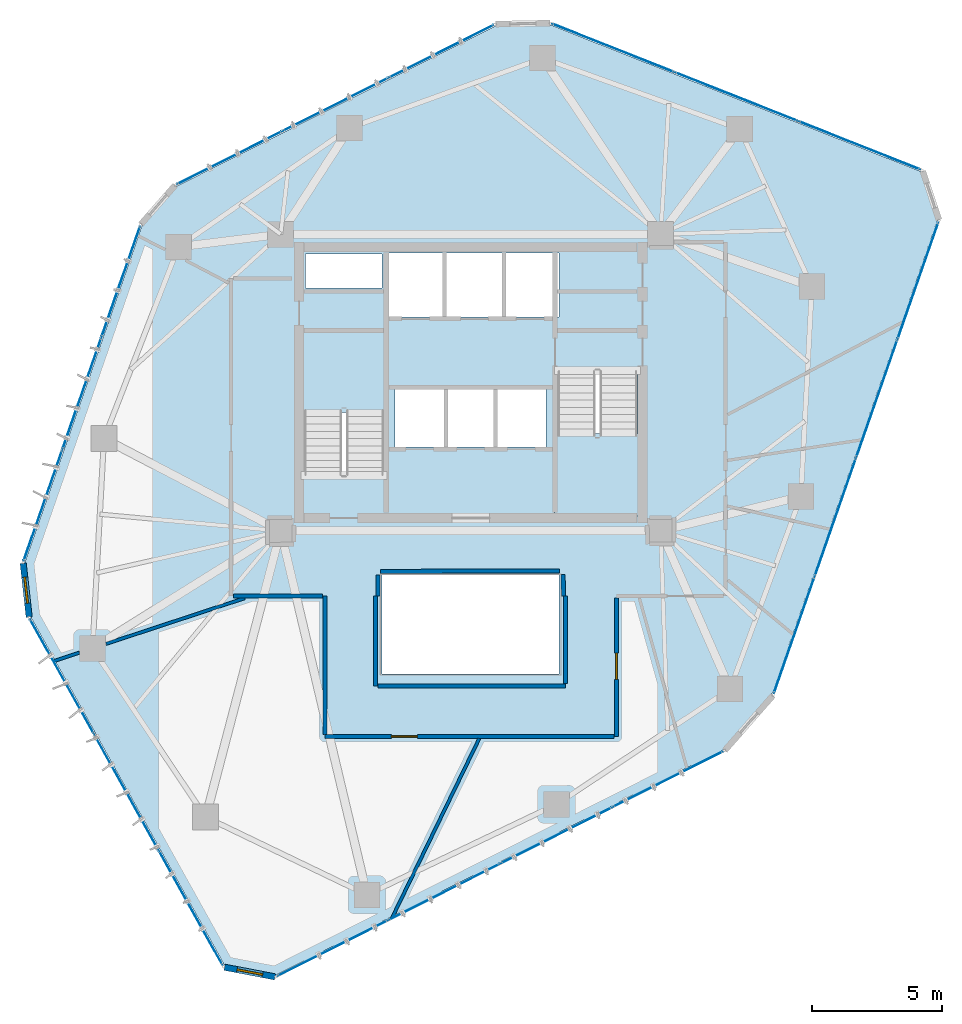
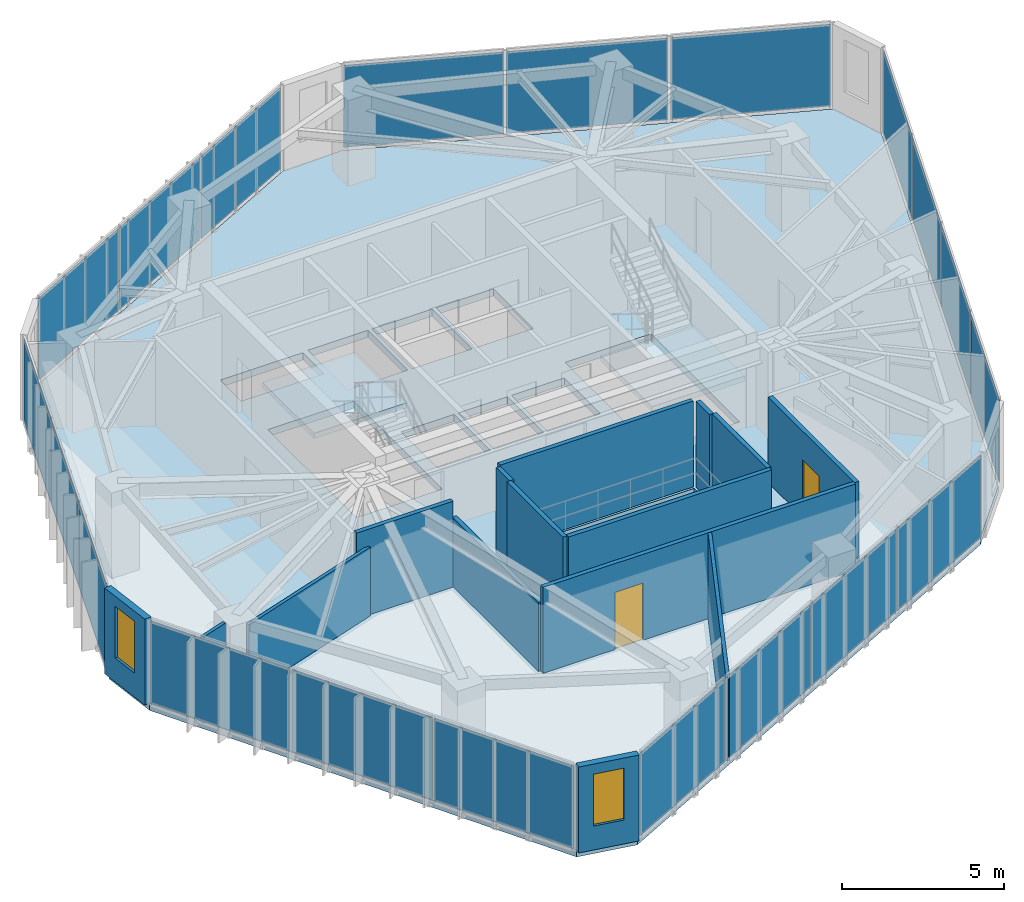
# One storey, part 15 of 20: 20 plates, 15 walls, 3 slabs, 2 doors, 2 windows, 4 openings, 8 elements without a shape of their own.
"""IFC4 building model written with IfcOpenShell, lengths in metres."""

from ifc_helpers import new_model, si_unit, direction, frame, frame_2d, origin, origin_2d, place, context, subcontext, project, spatial, polyline, rectangle, outline, extrude, source, transform, mapped, material, layer, layer_set, type_object, type_shapes, element, fill, aggregate, save


model = new_model("IFC4")

# Units and contexts
model_context = context("Model", 3, precision=1e-05, world=origin(), true_north=direction((0.0, 1.0)))
body_context = subcontext(model_context, "Body", "Model", "MODEL_VIEW")
ifc_project = project(units=[si_unit("LENGTHUNIT", "METRE"), si_unit("AREAUNIT", "SQUARE_METRE"), si_unit("VOLUMEUNIT", "CUBIC_METRE"), si_unit("PLANEANGLEUNIT", "RADIAN"), si_unit("MASSUNIT", "GRAM", prefix="KILO")], contexts=[model_context])

# Site, building, storey
site_placement = place(None, origin())
site = spatial("IfcSite", under=ifc_project, at=site_placement, CompositionType="ELEMENT")
building_placement = place(site_placement, origin())
building = spatial("IfcBuilding", under=site, at=building_placement, Name="Talar Marvaseh", CompositionType="ELEMENT")
storey_placement = place(building_placement, frame((0.0, 0.0, 170.5)))
storey = spatial("IfcBuildingStorey", under=building, at=storey_placement, Name="L44", CompositionType="ELEMENT", Elevation=170.5)

# Stair, slab
ifc_material_1 = material(Name="Concrete C40/50", Category="concrete")
stair_type = type_object("IfcStairType", Name="Reinforced Concrete High-Rise Exit Stair Type C", PredefinedType="HALF_TURN_STAIR", material=ifc_material_1)
stair_1_placement = place(storey_placement, origin())
stair_1 = element("IfcStair", 1, at=stair_1_placement, inside=storey, type_object=stair_type, Name="L44 Tower West Core Exit Stair", PredefinedType="HALF_TURN_STAIR")
ifc_layer_1 = layer(ifc_material_1, 0.199951171875)
ifc_layer_set_1 = layer_set([ifc_layer_1], Name="Concrete C40/50")
slab_type_1 = type_object("IfcSlabType", Name="Reinforced Concrete Stair Half-Landing Slab 200", PredefinedType="LANDING", material=ifc_layer_set_1)
slab_1_placement = place(storey_placement, frame((0.0, 0.0, 1.550048828125)))
slab_1 = element("IfcSlab", 2, at=slab_1_placement, type_object=slab_type_1, Name="ST-1 landing 1", PredefinedType="LANDING", context=body_context, shape_type="SweptSolid", body=[
    extrude(outline(polyline([(22.780029296875, 30.050048828125), (22.780029296875, 33.219970703125), (19.47998046875, 33.219970703125), (19.47998046875, 30.050048828125), (22.780029296875, 30.050048828125)])), origin(), (0.0, 0.0, 1.0), 0.199951171875),
])
aggregate(stair_1, [slab_1])

stair_2_placement = place(storey_placement, origin())
stair_2 = element("IfcStair", 3, at=stair_2_placement, inside=storey, type_object=stair_type, Name="L44 Tower East Core Exit Stair", PredefinedType="HALF_TURN_STAIR")
slab_2_placement = place(storey_placement, frame((0.0, 0.0, 1.550048828125)))
slab_2 = element("IfcSlab", 4, at=slab_2_placement, type_object=slab_type_1, Name="ST-2 landing 1", PredefinedType="LANDING", context=body_context, shape_type="SweptSolid", body=[
    extrude(outline(polyline([(29.219970703125, 29.25), (29.219970703125, 26.080078125), (32.52001953125, 26.080078125), (32.52001953125, 29.25), (29.219970703125, 29.25)])), origin(), (0.0, 0.0, 1.0), 0.199951171875),
])
aggregate(stair_2, [slab_2])

# Slab
ifc_layer_2 = layer(ifc_material_1, 0.27001953125)
ifc_layer_set_2 = layer_set([ifc_layer_2], Name="Concrete C40/50")
slab_type_2 = type_object("IfcSlabType", Name="Structural Suspended Floor Slab 270", PredefinedType="FLOOR", material=ifc_layer_set_2)
slab_3_placement = place(storey_placement, frame((0.0, 0.0, -0.27001953125)))
element("IfcSlab", 5, at=slab_3_placement, inside=storey, type_object=slab_type_2, Name="L44 Tower Floor Slab", PredefinedType="FLOOR", context=body_context, shape_type="SweptSolid", body=[
    extrude(outline(polyline([(18.49560546875, 8.4208984375), (16.552978515625, 8.792236328125), (9.093994140625, 22.195556640625), (8.8623046875, 24.271240234375), (13.3740234375, 37.240478515625), (14.69482421875, 38.74658203125), (26.964111328125, 44.91259765625), (29.052490234375, 44.95361328125), (43.314697265625, 39.307861328125), (43.936279296875, 37.430419921875), (37.574462890625, 19.2216796875), (35.71826171875, 17.10498046875), (18.49560546875, 8.4208984375)]), holes=[polyline([(22.659912109375, 27.64990234375), (22.659912109375, 33.10009765625), (19.60009765625, 33.10009765625), (19.60009765625, 27.64990234375), (22.659912109375, 27.64990234375)]), polyline([(29.340087890625, 31.64990234375), (29.340087890625, 26.199951171875), (32.39990234375, 26.199951171875), (32.39990234375, 31.64990234375), (29.340087890625, 31.64990234375)]), polyline([(22.800048828125, 33.719970703125), (24.93994140625, 33.719970703125), (24.93994140625, 36.179931640625), (22.800048828125, 36.179931640625), (22.800048828125, 33.719970703125)]), polyline([(25.080078125, 33.719970703125), (27.219970703125, 33.719970703125), (27.219970703125, 36.179931640625), (25.080078125, 36.179931640625), (25.080078125, 33.719970703125)]), polyline([(27.360107421875, 33.719970703125), (29.39990234375, 33.719970703125), (29.39990234375, 36.179931640625), (27.360107421875, 36.179931640625), (27.360107421875, 33.719970703125)]), polyline([(23.10009765625, 28.719970703125), (24.97998046875, 28.719970703125), (24.97998046875, 30.93994140625), (23.10009765625, 30.93994140625), (23.10009765625, 28.719970703125)]), polyline([(25.1201171875, 28.719970703125), (26.8798828125, 28.719970703125), (26.8798828125, 30.93994140625), (25.1201171875, 30.93994140625), (25.1201171875, 28.719970703125)]), polyline([(27.02001953125, 28.719970703125), (28.89990234375, 28.719970703125), (28.89990234375, 30.93994140625), (27.02001953125, 30.93994140625), (27.02001953125, 28.719970703125)]), polyline([(19.659912109375, 34.840087890625), (22.60009765625, 34.840087890625), (22.60009765625, 36.139892578125), (19.659912109375, 36.139892578125), (19.659912109375, 34.840087890625)]), polyline([(22.60009765625, 20.0), (29.39990234375, 20.0), (29.39990234375, 23.800048828125), (22.60009765625, 23.800048828125), (22.60009765625, 20.0)])]), origin(), (0.0, 0.0, 1.0), 0.27001953125),
])

# Curtain wall, plates
ifc_material_2 = material(Name="Architectural Aluminium", Category="aluminium")
ifc_layer_3 = layer(ifc_material_2, 0.18994140625)
ifc_layer_set_3 = layer_set([ifc_layer_3], Name="Architectural Aluminium")
curtain_wall_type = type_object("IfcCurtainWallType", Name="Unitised Solar Atelier Curtain Wall Z3", PredefinedType="NOTDEFINED", material=ifc_layer_set_3)
curtain_wall_1_placement = place(storey_placement, origin())
curtain_wall_1 = element("IfcCurtainWall", 6, at=curtain_wall_1_placement, inside=storey, type_object=curtain_wall_type, Name="L44 Unitised Solar Atelier Curtain Wall Z3", PredefinedType="NOTDEFINED")
ifc_material_3 = material(Name="Laminated Low-E Solar Glass", Category="glass")
ifc_layer_4 = layer(ifc_material_3, 0.028076171875)
ifc_layer_set_4 = layer_set([ifc_layer_4], Name="Laminated Low-E Solar Glass")
plate_type = type_object("IfcPlateType", Name="Double-Glazed Low-E Vision Curtain Panel 28", PredefinedType="CURTAIN_PANEL", material=ifc_layer_set_4)
shared_shape_1 = source(origin(), body_context, "Body", "SweptSolid", [
    extrude(rectangle(XDim=5.00048828125, YDim=0.028076171875, at=origin_2d()), origin(), (0.0, 0.0, 1.0), 3.080078125),
])
plate_1_placement = place(storey_placement, frame((15.24853515625, 11.013427734375, 0.074951171875), z_axis=(0.0, 0.0, 1.0), x_axis=(-0.486276592813, 0.87380494121, 0.0)))
plate_1 = element("IfcPlate", 7, at=plate_1_placement, type_object=plate_type, Name="CW-Z3 panel 1.1", PredefinedType="CURTAIN_PANEL", context=body_context, shape_type="MappedRepresentation", body=[
    mapped(shared_shape_1, transform((0.0, 0.0, 0.0), x_axis=(1.0, 0.0, 0.0), y_axis=(0.0, 1.0, 0.0), z_axis=(0.0, 0.0, 1.0), scale=1.0)),
])
plate_2_placement = place(storey_placement, frame((10.2939453125, 19.916015625, 0.074951171875), z_axis=(0.0, 0.0, 1.0), x_axis=(-0.486276592813, 0.87380494121, 0.0)))
plate_2 = element("IfcPlate", 8, at=plate_2_placement, type_object=plate_type, Name="CW-Z3 panel 3.1", PredefinedType="CURTAIN_PANEL", context=body_context, shape_type="MappedRepresentation", body=[
    mapped(shared_shape_1, transform((0.0, 0.0, 0.0), x_axis=(1.0, 0.0, 0.0), y_axis=(0.0, 1.0, 0.0), z_axis=(0.0, 0.0, 1.0), scale=1.0)),
])

curtain_wall_2_placement = place(storey_placement, origin())
curtain_wall_2 = element("IfcCurtainWall", 9, at=curtain_wall_2_placement, inside=storey, type_object=curtain_wall_type, Name="L44 Unitised Solar Atelier Curtain Wall Z3", PredefinedType="NOTDEFINED")
plate_3_placement = place(storey_placement, frame((31.468994140625, 44.0615234375, 0.074951171875), z_axis=(0.0, 0.0, 1.0), x_axis=(0.929801128404, -0.368062306707, 0.0)))
plate_3 = element("IfcPlate", 10, at=plate_3_placement, type_object=plate_type, Name="CW-Z3 panel 1.1", PredefinedType="CURTAIN_PANEL", context=body_context, shape_type="MappedRepresentation", body=[
    mapped(shared_shape_1, transform((0.0, 0.0, 0.0), x_axis=(1.0, 0.0, 0.0), y_axis=(0.0, 1.0, 0.0), z_axis=(0.0, 0.0, 1.0), scale=1.0)),
])
plate_4_placement = place(storey_placement, frame((40.942138671875, 40.3115234375, 0.074951171875), z_axis=(0.0, 0.0, 1.0), x_axis=(0.929801128404, -0.368062306707, 0.0)))
plate_4 = element("IfcPlate", 11, at=plate_4_placement, type_object=plate_type, Name="CW-Z3 panel 3.1", PredefinedType="CURTAIN_PANEL", context=body_context, shape_type="MappedRepresentation", body=[
    mapped(shared_shape_1, transform((0.0, 0.0, 0.0), x_axis=(1.0, 0.0, 0.0), y_axis=(0.0, 1.0, 0.0), z_axis=(0.0, 0.0, 1.0), scale=1.0)),
])

# Plate
shared_shape_2 = source(origin(), body_context, "Body", "SweptSolid", [
    extrude(rectangle(XDim=5.0380859375, YDim=0.028076171875, at=origin_2d()), origin(), (0.0, 0.0, 1.0), 3.080078125),
])
plate_5_placement = place(storey_placement, frame((12.771240234375, 15.46484375, 0.074951171875), z_axis=(0.0, 0.0, 1.0), x_axis=(-0.486276592813, 0.87380494121, 0.0)))
plate_5 = element("IfcPlate", 12, at=plate_5_placement, type_object=plate_type, Name="CW-Z3 panel 2.1", PredefinedType="CURTAIN_PANEL", context=body_context, shape_type="MappedRepresentation", body=[
    mapped(shared_shape_2, transform((0.0, 0.0, 0.0), x_axis=(1.0, 0.0, 0.0), y_axis=(0.0, 1.0, 0.0), z_axis=(0.0, 0.0, 1.0), scale=1.0)),
])

aggregate(curtain_wall_1, [plate_1, plate_5, plate_2])

plate_6_placement = place(storey_placement, frame((36.20556640625, 42.1865234375, 0.074951171875), z_axis=(0.0, 0.0, 1.0), x_axis=(0.929801128404, -0.368062306707, 0.0)))
plate_6 = element("IfcPlate", 13, at=plate_6_placement, type_object=plate_type, Name="CW-Z3 panel 2.1", PredefinedType="CURTAIN_PANEL", context=body_context, shape_type="MappedRepresentation", body=[
    mapped(shared_shape_2, transform((0.0, 0.0, 0.0), x_axis=(1.0, 0.0, 0.0), y_axis=(0.0, 1.0, 0.0), z_axis=(0.0, 0.0, 1.0), scale=1.0)),
])

aggregate(curtain_wall_2, [plate_3, plate_6, plate_4])

# Curtain wall, plates
curtain_wall_3_placement = place(storey_placement, origin())
curtain_wall_3 = element("IfcCurtainWall", 14, at=curtain_wall_3_placement, inside=storey, type_object=curtain_wall_type, Name="L44 Unitised Solar Atelier Curtain Wall Z3", PredefinedType="NOTDEFINED")
shared_shape_3 = source(origin(), body_context, "Body", "SweptSolid", [
    extrude(rectangle(XDim=4.46484375, YDim=0.028076171875, at=origin_2d()), origin(), (0.0, 0.0, 1.0), 3.080078125),
])
plate_7_placement = place(storey_placement, frame((9.563720703125, 26.47021484375, 0.074951171875), z_axis=(0.0, 0.0, 1.0), x_axis=(0.328566381975, 0.944480879974, 0.0)))
plate_7 = element("IfcPlate", 15, at=plate_7_placement, type_object=plate_type, Name="CW-Z3 panel 1.1", PredefinedType="CURTAIN_PANEL", context=body_context, shape_type="MappedRepresentation", body=[
    mapped(shared_shape_3, transform((0.0, 0.0, 0.0), x_axis=(1.0, 0.0, 0.0), y_axis=(0.0, 1.0, 0.0), z_axis=(0.0, 0.0, 1.0), scale=1.0)),
])
plate_8_placement = place(storey_placement, frame((12.55908203125, 35.0810546875, 0.074951171875), z_axis=(0.0, 0.0, 1.0), x_axis=(0.328566381975, 0.944480879974, 0.0)))
plate_8 = element("IfcPlate", 16, at=plate_8_placement, type_object=plate_type, Name="CW-Z3 panel 3.1", PredefinedType="CURTAIN_PANEL", context=body_context, shape_type="MappedRepresentation", body=[
    mapped(shared_shape_3, transform((0.0, 0.0, 0.0), x_axis=(1.0, 0.0, 0.0), y_axis=(0.0, 1.0, 0.0), z_axis=(0.0, 0.0, 1.0), scale=1.0)),
])

curtain_wall_4_placement = place(storey_placement, origin())
curtain_wall_4 = element("IfcCurtainWall", 17, at=curtain_wall_4_placement, inside=storey, type_object=curtain_wall_type, Name="L44 Unitised Solar Atelier Curtain Wall Z3", PredefinedType="NOTDEFINED")
plate_9_placement = place(storey_placement, frame((16.7294921875, 39.836181640625, 0.074951171875), z_axis=(0.0, 0.0, 1.0), x_axis=(0.893510646847, 0.449042006912, 0.0)))
plate_9 = element("IfcPlate", 18, at=plate_9_placement, type_object=plate_type, Name="CW-Z3 panel 1.1", PredefinedType="CURTAIN_PANEL", context=body_context, shape_type="MappedRepresentation", body=[
    mapped(shared_shape_3, transform((0.0, 0.0, 0.0), x_axis=(1.0, 0.0, 0.0), y_axis=(0.0, 1.0, 0.0), z_axis=(0.0, 0.0, 1.0), scale=1.0)),
])
plate_10_placement = place(storey_placement, frame((24.875732421875, 43.93017578125, 0.074951171875), z_axis=(0.0, 0.0, 1.0), x_axis=(0.893510646847, 0.449042006912, 0.0)))
plate_10 = element("IfcPlate", 19, at=plate_10_placement, type_object=plate_type, Name="CW-Z3 panel 3.1", PredefinedType="CURTAIN_PANEL", context=body_context, shape_type="MappedRepresentation", body=[
    mapped(shared_shape_3, transform((0.0, 0.0, 0.0), x_axis=(1.0, 0.0, 0.0), y_axis=(0.0, 1.0, 0.0), z_axis=(0.0, 0.0, 1.0), scale=1.0)),
])

# Plate
shared_shape_4 = source(origin(), body_context, "Body", "SweptSolid", [
    extrude(rectangle(XDim=4.502197265625, YDim=0.028076171875, at=origin_2d()), origin(), (0.0, 0.0, 1.0), 3.080078125),
])
plate_11_placement = place(storey_placement, frame((11.061279296875, 30.775634765625, 0.074951171875), z_axis=(0.0, 0.0, 1.0), x_axis=(0.328566381975, 0.944480879974, 0.0)))
plate_11 = element("IfcPlate", 20, at=plate_11_placement, type_object=plate_type, Name="CW-Z3 panel 2.1", PredefinedType="CURTAIN_PANEL", context=body_context, shape_type="MappedRepresentation", body=[
    mapped(shared_shape_4, transform((0.0, 0.0, 0.0), x_axis=(1.0, 0.0, 0.0), y_axis=(0.0, 1.0, 0.0), z_axis=(0.0, 0.0, 1.0), scale=1.0)),
])

aggregate(curtain_wall_3, [plate_7, plate_11, plate_8])

plate_12_placement = place(storey_placement, frame((20.802490234375, 41.88330078125, 0.074951171875), z_axis=(0.0, 0.0, 1.0), x_axis=(0.893510646847, 0.449042006912, 0.0)))
plate_12 = element("IfcPlate", 21, at=plate_12_placement, type_object=plate_type, Name="CW-Z3 panel 2.1", PredefinedType="CURTAIN_PANEL", context=body_context, shape_type="MappedRepresentation", body=[
    mapped(shared_shape_4, transform((0.0, 0.0, 0.0), x_axis=(1.0, 0.0, 0.0), y_axis=(0.0, 1.0, 0.0), z_axis=(0.0, 0.0, 1.0), scale=1.0)),
])

aggregate(curtain_wall_4, [plate_9, plate_12, plate_10])

# Curtain wall, plates
curtain_wall_5_placement = place(storey_placement, origin())
curtain_wall_5 = element("IfcCurtainWall", 22, at=curtain_wall_5_placement, inside=storey, type_object=curtain_wall_type, Name="L44 Unitised Solar Atelier Curtain Wall Z3", PredefinedType="NOTDEFINED")
shared_shape_5 = source(origin(), body_context, "Body", "SweptSolid", [
    extrude(rectangle(XDim=4.70947265625, YDim=0.028076171875, at=origin_2d()), origin(), (0.0, 0.0, 1.0), 3.080078125),
])
plate_13_placement = place(storey_placement, frame((43.191650390625, 35.116943359375, 0.074951171875), z_axis=(0.0, 0.0, 1.0), x_axis=(-0.329838622166, -0.944037331533, 0.0)))
plate_13 = element("IfcPlate", 23, at=plate_13_placement, type_object=plate_type, Name="CW-Z3 panel 1.1", PredefinedType="CURTAIN_PANEL", context=body_context, shape_type="MappedRepresentation", body=[
    mapped(shared_shape_5, transform((0.0, 0.0, 0.0), x_axis=(1.0, 0.0, 0.0), y_axis=(0.0, 1.0, 0.0), z_axis=(0.0, 0.0, 1.0), scale=1.0)),
])
plate_14_placement = place(storey_placement, frame((38.432373046875, 21.49560546875, 0.074951171875), z_axis=(0.0, 0.0, 1.0), x_axis=(-0.329838622166, -0.944037331533, 0.0)))
plate_14 = element("IfcPlate", 24, at=plate_14_placement, type_object=plate_type, Name="CW-Z3 panel 4.1", PredefinedType="CURTAIN_PANEL", context=body_context, shape_type="MappedRepresentation", body=[
    mapped(shared_shape_5, transform((0.0, 0.0, 0.0), x_axis=(1.0, 0.0, 0.0), y_axis=(0.0, 1.0, 0.0), z_axis=(0.0, 0.0, 1.0), scale=1.0)),
])

curtain_wall_6_placement = place(storey_placement, origin())
curtain_wall_6 = element("IfcCurtainWall", 25, at=curtain_wall_6_placement, inside=storey, type_object=curtain_wall_type, Name="L44 Unitised Solar Atelier Curtain Wall Z3", PredefinedType="NOTDEFINED")
plate_15_placement = place(storey_placement, frame((33.57568359375, 15.95751953125, 0.074951171875), z_axis=(0.0, 0.0, 1.0), x_axis=(-0.892910272367, -0.450234656041, 0.0)))
plate_15 = element("IfcPlate", 26, at=plate_15_placement, type_object=plate_type, Name="CW-Z3 panel 1.1", PredefinedType="CURTAIN_PANEL", context=body_context, shape_type="MappedRepresentation", body=[
    mapped(shared_shape_5, transform((0.0, 0.0, 0.0), x_axis=(1.0, 0.0, 0.0), y_axis=(0.0, 1.0, 0.0), z_axis=(0.0, 0.0, 1.0), scale=1.0)),
])
plate_16_placement = place(storey_placement, frame((20.6923828125, 9.461181640625, 0.074951171875), z_axis=(0.0, 0.0, 1.0), x_axis=(-0.892910272367, -0.450234656041, 0.0)))
plate_16 = element("IfcPlate", 27, at=plate_16_placement, type_object=plate_type, Name="CW-Z3 panel 4.1", PredefinedType="CURTAIN_PANEL", context=body_context, shape_type="MappedRepresentation", body=[
    mapped(shared_shape_5, transform((0.0, 0.0, 0.0), x_axis=(1.0, 0.0, 0.0), y_axis=(0.0, 1.0, 0.0), z_axis=(0.0, 0.0, 1.0), scale=1.0)),
])

# Plate
shared_shape_6 = source(origin(), body_context, "Body", "SweptSolid", [
    extrude(rectangle(XDim=4.7470703125, YDim=0.028076171875, at=origin_2d()), origin(), (0.0, 0.0, 1.0), 3.080078125),
])
type_shapes(plate_type, [shared_shape_1, shared_shape_2, shared_shape_3, shared_shape_4, shared_shape_5, shared_shape_6])
plate_17_placement = place(storey_placement, frame((41.607177734375, 30.58251953125, 0.074951171875), z_axis=(0.0, 0.0, 1.0), x_axis=(-0.329838622166, -0.944037331533, 0.0)))
plate_17 = element("IfcPlate", 28, at=plate_17_placement, type_object=plate_type, Name="CW-Z3 panel 2.1", PredefinedType="CURTAIN_PANEL", context=body_context, shape_type="MappedRepresentation", body=[
    mapped(shared_shape_6, transform((0.0, 0.0, 0.0), x_axis=(1.0, 0.0, 0.0), y_axis=(0.0, 1.0, 0.0), z_axis=(0.0, 0.0, 1.0), scale=1.0)),
])

plate_18_placement = place(storey_placement, frame((40.016845703125, 26.0302734375, 0.074951171875), z_axis=(0.0, 0.0, 1.0), x_axis=(-0.329838622166, -0.944037331533, 0.0)))
plate_18 = element("IfcPlate", 29, at=plate_18_placement, type_object=plate_type, Name="CW-Z3 panel 3.1", PredefinedType="CURTAIN_PANEL", context=body_context, shape_type="MappedRepresentation", body=[
    mapped(shared_shape_6, transform((0.0, 0.0, 0.0), x_axis=(1.0, 0.0, 0.0), y_axis=(0.0, 1.0, 0.0), z_axis=(0.0, 0.0, 1.0), scale=1.0)),
])

aggregate(curtain_wall_5, [plate_13, plate_17, plate_18, plate_14])

plate_19_placement = place(storey_placement, frame((29.286865234375, 13.794921875, 0.074951171875), z_axis=(0.0, 0.0, 1.0), x_axis=(-0.892910272367, -0.450234656041, 0.0)))
plate_19 = element("IfcPlate", 30, at=plate_19_placement, type_object=plate_type, Name="CW-Z3 panel 2.1", PredefinedType="CURTAIN_PANEL", context=body_context, shape_type="MappedRepresentation", body=[
    mapped(shared_shape_6, transform((0.0, 0.0, 0.0), x_axis=(1.0, 0.0, 0.0), y_axis=(0.0, 1.0, 0.0), z_axis=(0.0, 0.0, 1.0), scale=1.0)),
])

plate_20_placement = place(storey_placement, frame((24.981201171875, 11.623779296875, 0.074951171875), z_axis=(0.0, 0.0, 1.0), x_axis=(-0.892910272367, -0.450234656041, 0.0)))
plate_20 = element("IfcPlate", 31, at=plate_20_placement, type_object=plate_type, Name="CW-Z3 panel 3.1", PredefinedType="CURTAIN_PANEL", context=body_context, shape_type="MappedRepresentation", body=[
    mapped(shared_shape_6, transform((0.0, 0.0, 0.0), x_axis=(1.0, 0.0, 0.0), y_axis=(0.0, 1.0, 0.0), z_axis=(0.0, 0.0, 1.0), scale=1.0)),
])

aggregate(curtain_wall_6, [plate_15, plate_19, plate_20, plate_16])

# Wall, opening, window
ifc_material_4 = material(Name="Precast concrete C45/55", Category="concrete")
ifc_layer_5 = layer(ifc_material_4, 0.239990234375)
ifc_layer_set_5 = layer_set([ifc_layer_5], Name="Precast concrete C45/55")
wall_type_1 = type_object("IfcWallType", Name="Chamfered Hexagonal Corner Pier Wall Z3 240", PredefinedType="SOLIDWALL", material=ifc_layer_set_5)
wall_1_placement = place(storey_placement, frame((18.484375, 8.362060546875, 0.0), z_axis=(0.0, 0.0, 1.0), x_axis=(-0.982216267333, 0.187753040419, 0.0)))
wall_1 = element("IfcWall", 32, at=wall_1_placement, inside=storey, type_object=wall_type_1, Name="L44 Chamfered Corner Limestone Pier 1", PredefinedType="SOLIDWALL", context=body_context, shape_type="SweptSolid", body=[
    extrude(rectangle(XDim=1.977783203125, YDim=0.239990234375, at=frame_2d((0.98876953125, 0.0))), origin(), (0.0, 0.0, 1.0), 3.22998046875),
])
opening_1_placement = place(wall_1_placement, frame((0.489013671875, 0.0, 0.89990234375)))
opening_1 = element("IfcOpeningElement", 33, at=opening_1_placement, cuts=wall_1, Name="Opening WN-CHM10", PredefinedType="OPENING", context=body_context, shape_type="SweptSolid", body=[
    extrude(rectangle(XDim=1.0, YDim=1.949951171875, at=frame_2d((0.5, 0.97509765625))), frame((0.0, 0.1298828125, 0.0), z_axis=(0.0, -1.0, 0.0), x_axis=(1.0, 0.0, 0.0)), (0.0, 0.0, 1.0), 0.260009765625),
])
window_type = type_object("IfcWindowType", Name="Zone 3 Chamfered Corner Slot Window 1000x1950", PartitioningType="SINGLE_PANEL", PredefinedType="WINDOW", material=ifc_material_3)
shared_shape_7 = source(origin(), body_context, "Body", "SweptSolid", [
    extrude(rectangle(XDim=1.0, YDim=1.949951171875, at=frame_2d((0.5, 0.97509765625))), frame((0.0, 0.030029296875, 0.0), z_axis=(0.0, -1.0, 0.0), x_axis=(1.0, 0.0, 0.0)), (0.0, 0.0, 1.0), 0.06005859375),
])
type_shapes(window_type, [shared_shape_7])
window_1_placement = place(opening_1_placement, origin())
window_1 = element("IfcWindow", 34, at=window_1_placement, inside=storey, type_object=window_type, Name="L44 Chamfered Corner Slot Window", OverallHeight=1.949951171875, OverallWidth=1.0, PartitioningType="SINGLE_PANEL", PredefinedType="WINDOW", context=body_context, shape_type="MappedRepresentation", body=[
    mapped(shared_shape_7, transform((0.0, 0.0, 0.0), x_axis=(1.0, 0.0, 0.0), y_axis=(0.0, 1.0, 0.0), z_axis=(0.0, 0.0, 1.0), scale=1.0)),
])
fill(opening_1, window_1)

wall_2_placement = place(storey_placement, frame((9.034423828125, 22.18896484375, 0.0), z_axis=(0.0, 0.0, 1.0), x_axis=(-0.111060227475, 0.993813677644, 0.0)))
wall_2 = element("IfcWall", 35, at=wall_2_placement, inside=storey, type_object=wall_type_1, Name="L44 Chamfered Corner Limestone Pier 2", PredefinedType="SOLIDWALL", context=body_context, shape_type="SweptSolid", body=[
    extrude(rectangle(XDim=2.08837890625, YDim=0.239990234375, at=frame_2d((1.044189453125, 0.0))), origin(), (0.0, 0.0, 1.0), 3.22998046875),
])
opening_2_placement = place(wall_2_placement, frame((0.5439453125, 0.0, 0.89990234375)))
opening_2 = element("IfcOpeningElement", 36, at=opening_2_placement, cuts=wall_2, Name="Opening WN-CHM10", PredefinedType="OPENING", context=body_context, shape_type="SweptSolid", body=[
    extrude(rectangle(XDim=1.0, YDim=1.949951171875, at=frame_2d((0.5, 0.97509765625))), frame((0.0, 0.1298828125, 0.0), z_axis=(0.0, -1.0, 0.0), x_axis=(1.0, 0.0, 0.0)), (0.0, 0.0, 1.0), 0.260009765625),
])
window_2_placement = place(opening_2_placement, origin())
window_2 = element("IfcWindow", 37, at=window_2_placement, inside=storey, type_object=window_type, Name="L44 Chamfered Corner Slot Window", OverallHeight=1.949951171875, OverallWidth=1.0, PartitioningType="SINGLE_PANEL", PredefinedType="WINDOW", context=body_context, shape_type="MappedRepresentation", body=[
    mapped(shared_shape_7, transform((0.0, 0.0, 0.0), x_axis=(1.0, 0.0, 0.0), y_axis=(0.0, 1.0, 0.0), z_axis=(0.0, 0.0, 1.0), scale=1.0)),
])
fill(opening_2, window_2)

# Wall, opening, door
ifc_material_5 = material(Name="Gypsum Board Partition Assembly")
ifc_layer_6 = layer(ifc_material_5, 0.155029296875)
ifc_layer_set_6 = layer_set([ifc_layer_6], Name="Gypsum Board Partition Assembly")
wall_type_2 = type_object("IfcWallType", Name="Corridor Fire-Rated Acoustic Partition 155", PredefinedType="PARTITIONING", material=ifc_layer_set_6)
wall_3_placement = place(storey_placement, frame((31.60009765625, 22.91650390625, 0.0), z_axis=(0.0, 0.0, 1.0), x_axis=(0.0, -1.0, 0.0)))
wall_3 = element("IfcWall", 38, at=wall_3_placement, inside=storey, type_object=wall_type_2, Name="L44 Interior Partition Wall", PredefinedType="PARTITIONING", context=body_context, shape_type="SweptSolid", body=[
    extrude(rectangle(XDim=5.31640625, YDim=0.155029296875, at=frame_2d((2.658203125, 0.0))), origin(), (0.0, 0.0, 1.0), 3.22998046875),
])
opening_3_placement = place(wall_3_placement, frame((2.116455078125, 0.0, 0.0)))
opening_3 = element("IfcOpeningElement", 39, at=opening_3_placement, cuts=wall_3, Name="Opening DR-RM100", PredefinedType="OPENING", context=body_context, shape_type="SweptSolid", body=[
    extrude(rectangle(XDim=1.0, YDim=2.14990234375, at=frame_2d((0.5, 1.074951171875))), frame((0.0, 0.08740234375, 0.0), z_axis=(0.0, -1.0, 0.0), x_axis=(1.0, 0.0, 0.0)), (0.0, 0.0, 1.0), 0.175048828125),
])
ifc_material_6 = material(Name="Acoustic Engineered Oak Timber", Category="wood")
door_type = type_object("IfcDoorType", Name="Corridor Fire-Rated Gallery Door 1000x2150", OperationType="NOTDEFINED", PredefinedType="DOOR", material=ifc_material_6)
shared_shape_8 = source(origin(), body_context, "Body", "SweptSolid", [
    extrude(rectangle(XDim=1.0, YDim=2.14990234375, at=frame_2d((0.5, 1.074951171875))), frame((0.0, 0.02490234375, 0.0), z_axis=(0.0, -1.0, 0.0), x_axis=(1.0, 0.0, 0.0)), (0.0, 0.0, 1.0), 0.050048828125),
])
type_shapes(door_type, [shared_shape_8])
door_1_placement = place(opening_3_placement, origin())
door_1 = element("IfcDoor", 40, at=door_1_placement, inside=storey, type_object=door_type, Name="L44 Museum Publication Bookshop Door", OperationType="SINGLE_SWING_RIGHT", OverallHeight=2.14990234375, OverallWidth=1.0, PredefinedType="DOOR", context=body_context, shape_type="MappedRepresentation", body=[
    mapped(shared_shape_8, transform((0.0, 0.0, 0.0), x_axis=(1.0, 0.0, 0.0), y_axis=(0.0, 1.0, 0.0), z_axis=(0.0, 0.0, 1.0), scale=1.0)),
])
fill(opening_3, door_1)

wall_4_placement = place(storey_placement, frame((31.5166015625, 17.60009765625, 0.0), z_axis=(0.0, 0.0, 1.0), x_axis=(-1.0, 0.0, 0.0)))
wall_4 = element("IfcWall", 41, at=wall_4_placement, inside=storey, type_object=wall_type_2, Name="L44 Interior Partition Wall", PredefinedType="PARTITIONING", context=body_context, shape_type="SweptSolid", body=[
    extrude(rectangle(XDim=11.11669921875, YDim=0.155029296875, at=frame_2d((5.558349609375, 0.0))), origin(), (0.0, 0.0, 1.0), 3.22998046875),
])
opening_4_placement = place(wall_4_placement, frame((7.559814453125, 0.0, 0.0)))
opening_4 = element("IfcOpeningElement", 42, at=opening_4_placement, cuts=wall_4, Name="Opening DR-RM100", PredefinedType="OPENING", context=body_context, shape_type="SweptSolid", body=[
    extrude(rectangle(XDim=1.0, YDim=2.14990234375, at=frame_2d((0.5, 1.074951171875))), frame((0.0, 0.08740234375, 0.0), z_axis=(0.0, -1.0, 0.0), x_axis=(1.0, 0.0, 0.0)), (0.0, 0.0, 1.0), 0.175048828125),
])
door_2_placement = place(opening_4_placement, origin())
door_2 = element("IfcDoor", 43, at=door_2_placement, inside=storey, type_object=door_type, Name="L44 Seminar Room Door", OperationType="SINGLE_SWING_LEFT", OverallHeight=2.14990234375, OverallWidth=1.0, PredefinedType="DOOR", context=body_context, shape_type="MappedRepresentation", body=[
    mapped(shared_shape_8, transform((0.0, 0.0, 0.0), x_axis=(1.0, 0.0, 0.0), y_axis=(0.0, 1.0, 0.0), z_axis=(0.0, 0.0, 1.0), scale=1.0)),
])
fill(opening_4, door_2)

# Walls
wall_5_placement = place(storey_placement, frame((20.39990234375, 17.68359375, 0.0), z_axis=(0.0, 0.0, 1.0), x_axis=(0.0, 1.0, 0.0)))
element("IfcWall", 44, at=wall_5_placement, inside=storey, type_object=wall_type_2, Name="L44 Interior Partition Wall", PredefinedType="PARTITIONING", context=body_context, shape_type="SweptSolid", body=[
    extrude(rectangle(XDim=5.31640625, YDim=0.155029296875, at=frame_2d((2.658203125, 0.0))), origin(), (0.0, 0.0, 1.0), 2.589111328125),
])
wall_6_placement = place(storey_placement, frame((20.31640625, 23.0, 0.0), z_axis=(0.0, 0.0, 1.0), x_axis=(-1.0, 0.0, 0.0)))
element("IfcWall", 45, at=wall_6_placement, inside=storey, type_object=wall_type_2, Name="L44 Interior Partition Wall", PredefinedType="PARTITIONING", context=body_context, shape_type="SweptSolid", body=[
    extrude(rectangle(XDim=3.432861328125, YDim=0.155029296875, at=frame_2d((1.71630859375, 0.0))), origin(), (0.0, 0.0, 1.0), 3.22998046875),
])
wall_7_placement = place(storey_placement, frame((29.415771484375, 23.959228515625, 0.0), z_axis=(0.0, 0.0, 1.0), x_axis=(-0.999998607957, -0.001668557745, 0.0)))
element("IfcWall", 46, at=wall_7_placement, inside=storey, type_object=wall_type_2, Name="L44 Interior Partition Wall", PredefinedType="PARTITIONING", context=body_context, shape_type="SweptSolid", body=[
    extrude(rectangle(XDim=6.876953125, YDim=0.155029296875, at=frame_2d((3.4384765625, 0.0))), origin(), (0.0, 0.0, 1.0), 3.22998046875),
])
wall_8_placement = place(storey_placement, frame((22.44091796875, 23.815673828125, 0.0), z_axis=(0.0, 0.0, 1.0), x_axis=(-0.001197245475, -0.999999283301, 0.0)))
element("IfcWall", 47, at=wall_8_placement, inside=storey, type_object=wall_type_2, Name="L44 Interior Partition Wall", PredefinedType="PARTITIONING", context=body_context, shape_type="SweptSolid", body=[
    extrude(rectangle(XDim=0.815673828125, YDim=0.155029296875, at=frame_2d((0.40771484375, 0.0))), origin(), (0.0, 0.0, 1.0), 3.22998046875),
])
wall_9_placement = place(storey_placement, frame((22.35009765625, 23.0, 0.0), z_axis=(0.0, 0.0, 1.0), x_axis=(0.0, -1.0, 0.0)))
element("IfcWall", 48, at=wall_9_placement, inside=storey, type_object=wall_type_2, Name="L44 Interior Partition Wall", PredefinedType="PARTITIONING", context=body_context, shape_type="SweptSolid", body=[
    extrude(rectangle(XDim=3.449951171875, YDim=0.155029296875, at=frame_2d((1.72509765625, 0.0))), origin(), (0.0, 0.0, 1.0), 3.22998046875),
])
wall_10_placement = place(storey_placement, frame((22.43359375, 19.550048828125, 0.0), z_axis=(0.0, 0.0, 1.0), x_axis=(1.0, 0.0, 0.0)))
element("IfcWall", 49, at=wall_10_placement, inside=storey, type_object=wall_type_2, Name="L44 Interior Partition Wall", PredefinedType="PARTITIONING", context=body_context, shape_type="SweptSolid", body=[
    extrude(rectangle(XDim=7.21630859375, YDim=0.155029296875, at=frame_2d((3.608154296875, 0.0))), origin(), (0.0, 0.0, 1.0), 3.22998046875),
])
wall_11_placement = place(storey_placement, frame((29.64990234375, 19.633544921875, 0.0), z_axis=(0.0, 0.0, 1.0), x_axis=(0.0, 1.0, 0.0)))
element("IfcWall", 50, at=wall_11_placement, inside=storey, type_object=wall_type_2, Name="L44 Interior Partition Wall", PredefinedType="PARTITIONING", context=body_context, shape_type="SweptSolid", body=[
    extrude(rectangle(XDim=3.366455078125, YDim=0.155029296875, at=frame_2d((1.68310546875, 0.0))), origin(), (0.0, 0.0, 1.0), 3.22998046875),
])
wall_12_placement = place(storey_placement, frame((29.56005859375, 23.0, 0.0), z_axis=(0.0, 0.0, 1.0), x_axis=(-0.003817887006, 0.999992711843, 0.0)))
element("IfcWall", 51, at=wall_12_placement, inside=storey, type_object=wall_type_2, Name="L44 Interior Partition Wall", PredefinedType="PARTITIONING", context=body_context, shape_type="SweptSolid", body=[
    extrude(rectangle(XDim=0.831298828125, YDim=0.155029296875, at=frame_2d((0.41552734375, 0.0))), origin(), (0.0, 0.0, 1.0), 3.22998046875),
])
ifc_layer_7 = layer(ifc_material_5, 0.1201171875)
ifc_layer_set_7 = layer_set([ifc_layer_7], Name="Gypsum Board Partition Assembly")
wall_type_3 = type_object("IfcWallType", Name="Demountable Studio Room Partition 120", PredefinedType="PARTITIONING", material=ifc_layer_set_7)
wall_13_placement = place(storey_placement, frame((26.329345703125, 17.5166015625, 0.0), z_axis=(0.0, 0.0, 1.0), x_axis=(-0.437520070601, -0.899208645321, 0.0)))
element("IfcWall", 52, at=wall_13_placement, inside=storey, type_object=wall_type_3, Name="L44 Interior Partition Wall", PredefinedType="PARTITIONING", context=body_context, shape_type="SweptSolid", body=[
    extrude(rectangle(XDim=7.656982421875, YDim=0.1201171875, at=frame_2d((3.82861328125, 0.0))), origin(), (0.0, 0.0, 1.0), 3.22998046875),
])
wall_14_placement = place(storey_placement, frame((9.99560546875, 20.502685546875, 0.0), z_axis=(0.0, 0.0, 1.0), x_axis=(0.949878818656, 0.31261834538, 0.0)))
element("IfcWall", 53, at=wall_14_placement, inside=storey, type_object=wall_type_3, Name="L44 Interior Partition Wall", PredefinedType="PARTITIONING", context=body_context, shape_type="SweptSolid", body=[
    extrude(rectangle(XDim=1.01513671875, YDim=0.1201171875, at=frame_2d((0.507568359375, 0.0))), origin(), (0.0, 0.0, 1.0), 3.22998046875),
])
wall_15_placement = place(storey_placement, frame((11.989990234375, 21.159912109375, 0.0), z_axis=(0.0, 0.0, 1.0), x_axis=(0.949696889098, 0.313170590635, 0.0)))
element("IfcWall", 54, at=wall_15_placement, inside=storey, type_object=wall_type_3, Name="L44 Interior Partition Wall", PredefinedType="PARTITIONING", context=body_context, shape_type="SweptSolid", body=[
    extrude(rectangle(XDim=5.609130859375, YDim=0.1201171875, at=frame_2d((2.8046875, 0.0))), origin(), (0.0, 0.0, 1.0), 2.589111328125),
])

save(model, "model.ifc")
